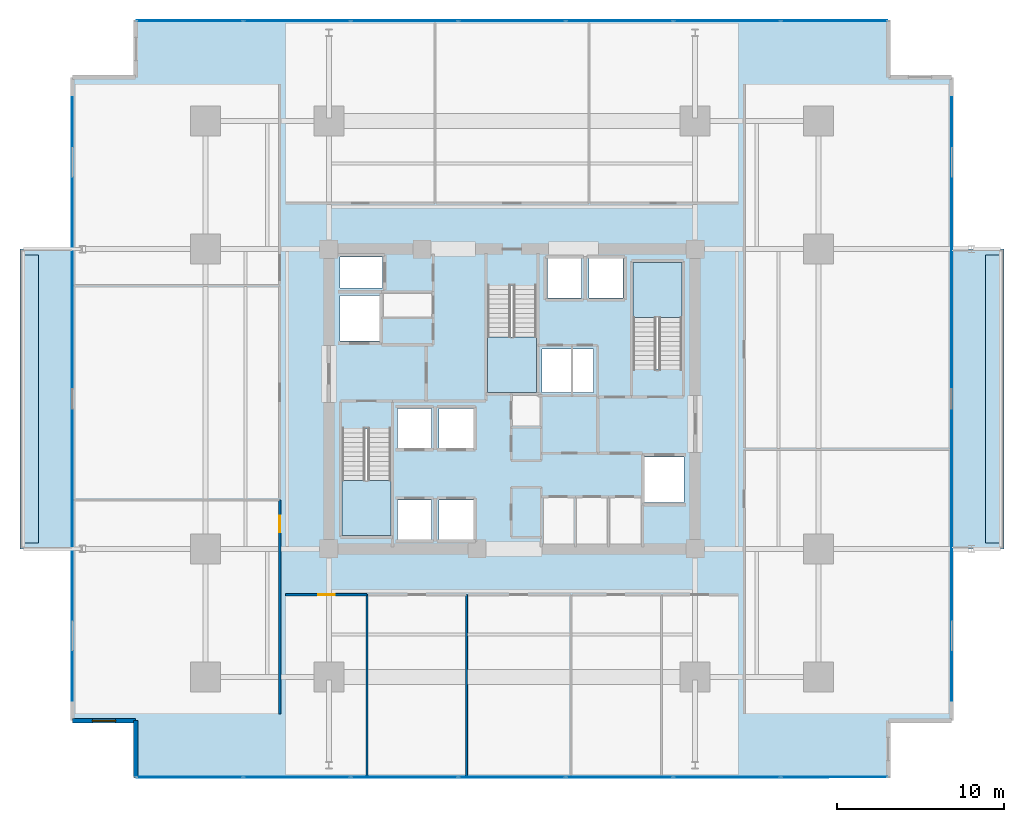
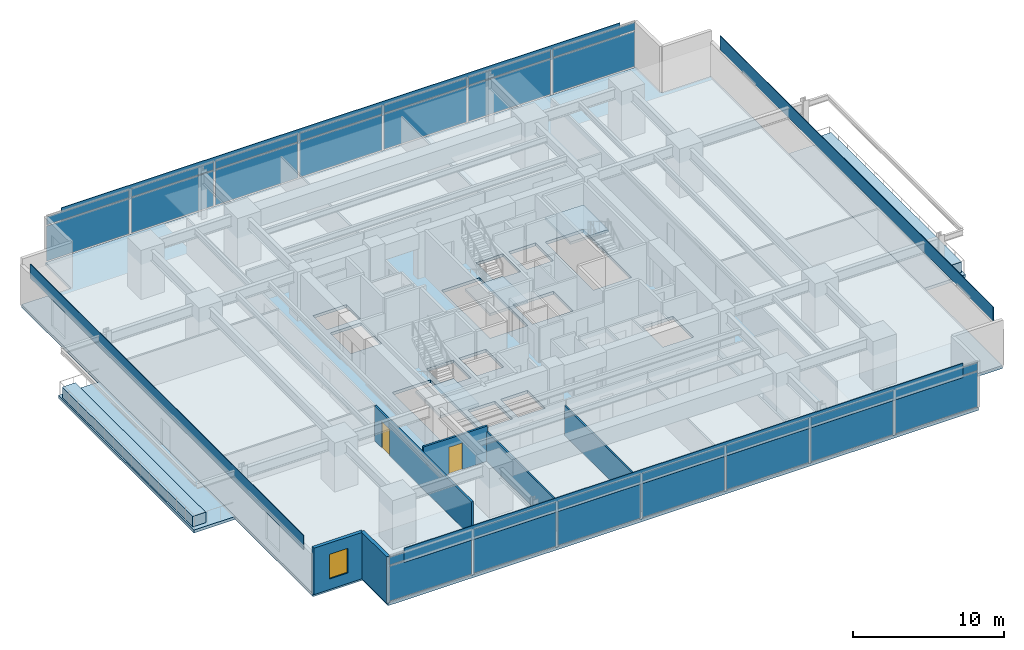
# One storey, part 14 of 22: 32 plates, 8 slabs, 6 walls, 2 doors, 1 window, 3 openings, 5 elements without a shape of their own.
"""IFC4 building model written with IfcOpenShell, lengths in metres."""

from ifc_helpers import new_model, si_unit, direction, frame, frame_2d, origin, origin_2d, place, context, subcontext, project, spatial, polyline, rectangle, outline, extrude, material, layer, layer_set, type_object, element, fill, aggregate, save


model = new_model("IFC4")

# Units and contexts
model_context = context("Model", 3, precision=1e-05, world=origin(), true_north=direction((0.0, 1.0)))
body_context = subcontext(model_context, "Body", "Model", "MODEL_VIEW")
ifc_project = project(units=[si_unit("LENGTHUNIT", "METRE"), si_unit("AREAUNIT", "SQUARE_METRE"), si_unit("VOLUMEUNIT", "CUBIC_METRE"), si_unit("PLANEANGLEUNIT", "RADIAN"), si_unit("MASSUNIT", "GRAM", prefix="KILO")], contexts=[model_context])

# Site, building, storey
site_placement = place(None, origin())
site = spatial("IfcSite", under=ifc_project, at=site_placement, CompositionType="ELEMENT")
building_placement = place(site_placement, origin())
building = spatial("IfcBuilding", under=site, at=building_placement, Name="Kovane Verandah Tower", CompositionType="ELEMENT")
storey_placement = place(building_placement, frame((0.0, 0.0, 99.60009765625)))
storey = spatial("IfcBuildingStorey", under=building, at=storey_placement, Name="L23", CompositionType="ELEMENT", Elevation=99.60009765625)

# Curtain wall, plates
ifc_material_1 = material(Name="Champagne Anodised Aluminium Frame with Low-E Clear Laminated Glass", Category="aluminium")
curtain_wall_type = type_object("IfcCurtainWallType", Name="CW-SYS-02-LOW", PredefinedType="NOTDEFINED", material=ifc_material_1)
curtain_wall_1_placement = place(storey_placement, origin())
curtain_wall_1 = element("IfcCurtainWall", 1, at=curtain_wall_1_placement, inside=storey, type_object=curtain_wall_type, Name="L23 S Unitised Curtain Wall", PredefinedType="NOTDEFINED")
ifc_material_2 = material(Name="Pale Champagne Anodised Aluminium Insulated Spandrel", Category="aluminium")
ifc_layer_1 = layer(ifc_material_2, 0.0400390625)
ifc_layer_set_1 = layer_set([ifc_layer_1], Name="Pale Champagne Anodised Aluminium Insulated Spandrel")
plate_type_1 = type_object("IfcPlateType", Name="PL-CW-SPD-40", PredefinedType="SHEET", material=ifc_layer_set_1)
plate_1_placement = place(storey_placement, frame((20.6298828125, 4.781005859375, 3.02978515625), z_axis=(0.0, 0.0, 1.0), x_axis=(1.0, 0.0, 0.0)))
plate_1 = element("IfcPlate", 2, at=plate_1_placement, type_object=plate_type_1, Name="L23 S Unitised Curtain Wall Spandrel Panel 1", PredefinedType="SHEET", context=body_context, shape_type="SweptSolid", body=[
    extrude(rectangle(XDim=6.316650390625, YDim=0.0400390625, at=origin_2d()), origin(), (0.0, 0.0, 1.0), 0.639892578125),
])
plate_2_placement = place(storey_placement, frame((27.08642578125, 4.781005859375, 3.02978515625), z_axis=(0.0, 0.0, 1.0), x_axis=(1.0, 0.0, 0.0)))
plate_2 = element("IfcPlate", 3, at=plate_2_placement, type_object=plate_type_1, Name="L23 S Unitised Curtain Wall Spandrel Panel 2", PredefinedType="SHEET", context=body_context, shape_type="SweptSolid", body=[
    extrude(rectangle(XDim=6.316650390625, YDim=0.0400390625, at=origin_2d()), origin(), (0.0, 0.0, 1.0), 0.639892578125),
])
plate_3_placement = place(storey_placement, frame((33.543212890625, 4.781005859375, 3.02978515625), z_axis=(0.0, 0.0, 1.0), x_axis=(1.0, 0.0, 0.0)))
plate_3 = element("IfcPlate", 4, at=plate_3_placement, type_object=plate_type_1, Name="L23 S Unitised Curtain Wall Spandrel Panel 3", PredefinedType="SHEET", context=body_context, shape_type="SweptSolid", body=[
    extrude(rectangle(XDim=6.316650390625, YDim=0.0400390625, at=origin_2d()), origin(), (0.0, 0.0, 1.0), 0.639892578125),
])
plate_4_placement = place(storey_placement, frame((40.0, 4.781005859375, 3.02978515625), z_axis=(0.0, 0.0, 1.0), x_axis=(1.0, 0.0, 0.0)))
plate_4 = element("IfcPlate", 5, at=plate_4_placement, type_object=plate_type_1, Name="L23 S Unitised Curtain Wall Spandrel Panel 4", PredefinedType="SHEET", context=body_context, shape_type="SweptSolid", body=[
    extrude(rectangle(XDim=6.316650390625, YDim=0.0400390625, at=origin_2d()), origin(), (0.0, 0.0, 1.0), 0.639892578125),
])
plate_5_placement = place(storey_placement, frame((46.456787109375, 4.781005859375, 3.02978515625), z_axis=(0.0, 0.0, 1.0), x_axis=(1.0, 0.0, 0.0)))
plate_5 = element("IfcPlate", 6, at=plate_5_placement, type_object=plate_type_1, Name="L23 S Unitised Curtain Wall Spandrel Panel 5", PredefinedType="SHEET", context=body_context, shape_type="SweptSolid", body=[
    extrude(rectangle(XDim=6.316650390625, YDim=0.0400390625, at=origin_2d()), origin(), (0.0, 0.0, 1.0), 0.639892578125),
])
plate_6_placement = place(storey_placement, frame((52.91357421875, 4.781005859375, 3.02978515625), z_axis=(0.0, 0.0, 1.0), x_axis=(1.0, 0.0, 0.0)))
plate_6 = element("IfcPlate", 7, at=plate_6_placement, type_object=plate_type_1, Name="L23 S Unitised Curtain Wall Spandrel Panel 6", PredefinedType="SHEET", context=body_context, shape_type="SweptSolid", body=[
    extrude(rectangle(XDim=6.316650390625, YDim=0.0400390625, at=origin_2d()), origin(), (0.0, 0.0, 1.0), 0.639892578125),
])
plate_7_placement = place(storey_placement, frame((59.3701171875, 4.781005859375, 3.02978515625), z_axis=(0.0, 0.0, 1.0), x_axis=(1.0, 0.0, 0.0)))
plate_7 = element("IfcPlate", 8, at=plate_7_placement, type_object=plate_type_1, Name="L23 S Unitised Curtain Wall Spandrel Panel 7", PredefinedType="SHEET", context=body_context, shape_type="SweptSolid", body=[
    extrude(rectangle(XDim=6.316650390625, YDim=0.0400390625, at=origin_2d()), origin(), (0.0, 0.0, 1.0), 0.639892578125),
])

curtain_wall_2_placement = place(storey_placement, origin())
curtain_wall_2 = element("IfcCurtainWall", 9, at=curtain_wall_2_placement, inside=storey, type_object=curtain_wall_type, Name="L23 N Unitised Curtain Wall", PredefinedType="NOTDEFINED")
plate_8_placement = place(storey_placement, frame((59.3701171875, 50.218994140625, 3.02978515625), z_axis=(0.0, 0.0, 1.0), x_axis=(-1.0, 0.0, 0.0)))
plate_8 = element("IfcPlate", 10, at=plate_8_placement, type_object=plate_type_1, Name="L23 N Unitised Curtain Wall Spandrel Panel 1", PredefinedType="SHEET", context=body_context, shape_type="SweptSolid", body=[
    extrude(rectangle(XDim=6.316650390625, YDim=0.0400390625, at=origin_2d()), origin(), (0.0, 0.0, 1.0), 0.639892578125),
])
plate_9_placement = place(storey_placement, frame((52.91357421875, 50.218994140625, 3.02978515625), z_axis=(0.0, 0.0, 1.0), x_axis=(-1.0, 0.0, 0.0)))
plate_9 = element("IfcPlate", 11, at=plate_9_placement, type_object=plate_type_1, Name="L23 N Unitised Curtain Wall Spandrel Panel 2", PredefinedType="SHEET", context=body_context, shape_type="SweptSolid", body=[
    extrude(rectangle(XDim=6.316650390625, YDim=0.0400390625, at=origin_2d()), origin(), (0.0, 0.0, 1.0), 0.639892578125),
])
plate_10_placement = place(storey_placement, frame((46.456787109375, 50.218994140625, 3.02978515625), z_axis=(0.0, 0.0, 1.0), x_axis=(-1.0, 0.0, 0.0)))
plate_10 = element("IfcPlate", 12, at=plate_10_placement, type_object=plate_type_1, Name="L23 N Unitised Curtain Wall Spandrel Panel 3", PredefinedType="SHEET", context=body_context, shape_type="SweptSolid", body=[
    extrude(rectangle(XDim=6.316650390625, YDim=0.0400390625, at=origin_2d()), origin(), (0.0, 0.0, 1.0), 0.639892578125),
])
plate_11_placement = place(storey_placement, frame((40.0, 50.218994140625, 3.02978515625), z_axis=(0.0, 0.0, 1.0), x_axis=(-1.0, 0.0, 0.0)))
plate_11 = element("IfcPlate", 13, at=plate_11_placement, type_object=plate_type_1, Name="L23 N Unitised Curtain Wall Spandrel Panel 4", PredefinedType="SHEET", context=body_context, shape_type="SweptSolid", body=[
    extrude(rectangle(XDim=6.316650390625, YDim=0.0400390625, at=origin_2d()), origin(), (0.0, 0.0, 1.0), 0.639892578125),
])
plate_12_placement = place(storey_placement, frame((33.543212890625, 50.218994140625, 3.02978515625), z_axis=(0.0, 0.0, 1.0), x_axis=(-1.0, 0.0, 0.0)))
plate_12 = element("IfcPlate", 14, at=plate_12_placement, type_object=plate_type_1, Name="L23 N Unitised Curtain Wall Spandrel Panel 5", PredefinedType="SHEET", context=body_context, shape_type="SweptSolid", body=[
    extrude(rectangle(XDim=6.316650390625, YDim=0.0400390625, at=origin_2d()), origin(), (0.0, 0.0, 1.0), 0.639892578125),
])
plate_13_placement = place(storey_placement, frame((27.08642578125, 50.218994140625, 3.02978515625), z_axis=(0.0, 0.0, 1.0), x_axis=(-1.0, 0.0, 0.0)))
plate_13 = element("IfcPlate", 15, at=plate_13_placement, type_object=plate_type_1, Name="L23 N Unitised Curtain Wall Spandrel Panel 6", PredefinedType="SHEET", context=body_context, shape_type="SweptSolid", body=[
    extrude(rectangle(XDim=6.316650390625, YDim=0.0400390625, at=origin_2d()), origin(), (0.0, 0.0, 1.0), 0.639892578125),
])
plate_14_placement = place(storey_placement, frame((20.6298828125, 50.218994140625, 3.02978515625), z_axis=(0.0, 0.0, 1.0), x_axis=(-1.0, 0.0, 0.0)))
plate_14 = element("IfcPlate", 16, at=plate_14_placement, type_object=plate_type_1, Name="L23 N Unitised Curtain Wall Spandrel Panel 7", PredefinedType="SHEET", context=body_context, shape_type="SweptSolid", body=[
    extrude(rectangle(XDim=6.316650390625, YDim=0.0400390625, at=origin_2d()), origin(), (0.0, 0.0, 1.0), 0.639892578125),
])

# Plate
ifc_material_3 = material(Name="Clear Low-E Laminated Double Glazing", Category="glass")
ifc_layer_2 = layer(ifc_material_3, 0.031982421875)
ifc_layer_set_2 = layer_set([ifc_layer_2], Name="Clear Low-E Laminated Double Glazing")
plate_type_2 = type_object("IfcPlateType", Name="PL-CW-VIS-32", PredefinedType="CURTAIN_PANEL", material=ifc_layer_set_2)
plate_15_placement = place(storey_placement, frame((20.6298828125, 4.781005859375, 0.099853515625), z_axis=(0.0, 0.0, 1.0), x_axis=(1.0, 0.0, 0.0)))
plate_15 = element("IfcPlate", 17, at=plate_15_placement, type_object=plate_type_2, Name="L23 S Unitised Curtain Wall Vision Panel 1", PredefinedType="CURTAIN_PANEL", context=body_context, shape_type="SweptSolid", body=[
    extrude(rectangle(XDim=6.316650390625, YDim=0.031982421875, at=origin_2d()), origin(), (0.0, 0.0, 1.0), 2.830078125),
])

plate_16_placement = place(storey_placement, frame((27.08642578125, 4.781005859375, 0.099853515625), z_axis=(0.0, 0.0, 1.0), x_axis=(1.0, 0.0, 0.0)))
plate_16 = element("IfcPlate", 18, at=plate_16_placement, type_object=plate_type_2, Name="L23 S Unitised Curtain Wall Vision Panel 2", PredefinedType="CURTAIN_PANEL", context=body_context, shape_type="SweptSolid", body=[
    extrude(rectangle(XDim=6.316650390625, YDim=0.031982421875, at=origin_2d()), origin(), (0.0, 0.0, 1.0), 2.830078125),
])

plate_17_placement = place(storey_placement, frame((33.543212890625, 4.781005859375, 0.099853515625), z_axis=(0.0, 0.0, 1.0), x_axis=(1.0, 0.0, 0.0)))
plate_17 = element("IfcPlate", 19, at=plate_17_placement, type_object=plate_type_2, Name="L23 S Unitised Curtain Wall Vision Panel 3", PredefinedType="CURTAIN_PANEL", context=body_context, shape_type="SweptSolid", body=[
    extrude(rectangle(XDim=6.316650390625, YDim=0.031982421875, at=origin_2d()), origin(), (0.0, 0.0, 1.0), 2.830078125),
])

plate_18_placement = place(storey_placement, frame((40.0, 4.781005859375, 0.099853515625), z_axis=(0.0, 0.0, 1.0), x_axis=(1.0, 0.0, 0.0)))
plate_18 = element("IfcPlate", 20, at=plate_18_placement, type_object=plate_type_2, Name="L23 S Unitised Curtain Wall Vision Panel 4", PredefinedType="CURTAIN_PANEL", context=body_context, shape_type="SweptSolid", body=[
    extrude(rectangle(XDim=6.316650390625, YDim=0.031982421875, at=origin_2d()), origin(), (0.0, 0.0, 1.0), 2.830078125),
])

plate_19_placement = place(storey_placement, frame((46.456787109375, 4.781005859375, 0.099853515625), z_axis=(0.0, 0.0, 1.0), x_axis=(1.0, 0.0, 0.0)))
plate_19 = element("IfcPlate", 21, at=plate_19_placement, type_object=plate_type_2, Name="L23 S Unitised Curtain Wall Vision Panel 5", PredefinedType="CURTAIN_PANEL", context=body_context, shape_type="SweptSolid", body=[
    extrude(rectangle(XDim=6.316650390625, YDim=0.031982421875, at=origin_2d()), origin(), (0.0, 0.0, 1.0), 2.830078125),
])

plate_20_placement = place(storey_placement, frame((52.91357421875, 4.781005859375, 0.099853515625), z_axis=(0.0, 0.0, 1.0), x_axis=(1.0, 0.0, 0.0)))
plate_20 = element("IfcPlate", 22, at=plate_20_placement, type_object=plate_type_2, Name="L23 S Unitised Curtain Wall Vision Panel 6", PredefinedType="CURTAIN_PANEL", context=body_context, shape_type="SweptSolid", body=[
    extrude(rectangle(XDim=6.316650390625, YDim=0.031982421875, at=origin_2d()), origin(), (0.0, 0.0, 1.0), 2.830078125),
])

plate_21_placement = place(storey_placement, frame((59.3701171875, 4.781005859375, 0.099853515625), z_axis=(0.0, 0.0, 1.0), x_axis=(1.0, 0.0, 0.0)))
plate_21 = element("IfcPlate", 23, at=plate_21_placement, type_object=plate_type_2, Name="L23 S Unitised Curtain Wall Vision Panel 7", PredefinedType="CURTAIN_PANEL", context=body_context, shape_type="SweptSolid", body=[
    extrude(rectangle(XDim=6.316650390625, YDim=0.031982421875, at=origin_2d()), origin(), (0.0, 0.0, 1.0), 2.830078125),
])

aggregate(curtain_wall_1, [plate_15, plate_1, plate_16, plate_2, plate_17, plate_3, plate_18, plate_4, plate_19, plate_5, plate_20, plate_6, plate_21, plate_7])

plate_22_placement = place(storey_placement, frame((59.3701171875, 50.218994140625, 0.099853515625), z_axis=(0.0, 0.0, 1.0), x_axis=(-1.0, 0.0, 0.0)))
plate_22 = element("IfcPlate", 24, at=plate_22_placement, type_object=plate_type_2, Name="L23 N Unitised Curtain Wall Vision Panel 1", PredefinedType="CURTAIN_PANEL", context=body_context, shape_type="SweptSolid", body=[
    extrude(rectangle(XDim=6.316650390625, YDim=0.031982421875, at=origin_2d()), origin(), (0.0, 0.0, 1.0), 2.830078125),
])

plate_23_placement = place(storey_placement, frame((52.91357421875, 50.218994140625, 0.099853515625), z_axis=(0.0, 0.0, 1.0), x_axis=(-1.0, 0.0, 0.0)))
plate_23 = element("IfcPlate", 25, at=plate_23_placement, type_object=plate_type_2, Name="L23 N Unitised Curtain Wall Vision Panel 2", PredefinedType="CURTAIN_PANEL", context=body_context, shape_type="SweptSolid", body=[
    extrude(rectangle(XDim=6.316650390625, YDim=0.031982421875, at=origin_2d()), origin(), (0.0, 0.0, 1.0), 2.830078125),
])

plate_24_placement = place(storey_placement, frame((46.456787109375, 50.218994140625, 0.099853515625), z_axis=(0.0, 0.0, 1.0), x_axis=(-1.0, 0.0, 0.0)))
plate_24 = element("IfcPlate", 26, at=plate_24_placement, type_object=plate_type_2, Name="L23 N Unitised Curtain Wall Vision Panel 3", PredefinedType="CURTAIN_PANEL", context=body_context, shape_type="SweptSolid", body=[
    extrude(rectangle(XDim=6.316650390625, YDim=0.031982421875, at=origin_2d()), origin(), (0.0, 0.0, 1.0), 2.830078125),
])

plate_25_placement = place(storey_placement, frame((40.0, 50.218994140625, 0.099853515625), z_axis=(0.0, 0.0, 1.0), x_axis=(-1.0, 0.0, 0.0)))
plate_25 = element("IfcPlate", 27, at=plate_25_placement, type_object=plate_type_2, Name="L23 N Unitised Curtain Wall Vision Panel 4", PredefinedType="CURTAIN_PANEL", context=body_context, shape_type="SweptSolid", body=[
    extrude(rectangle(XDim=6.316650390625, YDim=0.031982421875, at=origin_2d()), origin(), (0.0, 0.0, 1.0), 2.830078125),
])

plate_26_placement = place(storey_placement, frame((33.543212890625, 50.218994140625, 0.099853515625), z_axis=(0.0, 0.0, 1.0), x_axis=(-1.0, 0.0, 0.0)))
plate_26 = element("IfcPlate", 28, at=plate_26_placement, type_object=plate_type_2, Name="L23 N Unitised Curtain Wall Vision Panel 5", PredefinedType="CURTAIN_PANEL", context=body_context, shape_type="SweptSolid", body=[
    extrude(rectangle(XDim=6.316650390625, YDim=0.031982421875, at=origin_2d()), origin(), (0.0, 0.0, 1.0), 2.830078125),
])

plate_27_placement = place(storey_placement, frame((27.08642578125, 50.218994140625, 0.099853515625), z_axis=(0.0, 0.0, 1.0), x_axis=(-1.0, 0.0, 0.0)))
plate_27 = element("IfcPlate", 29, at=plate_27_placement, type_object=plate_type_2, Name="L23 N Unitised Curtain Wall Vision Panel 6", PredefinedType="CURTAIN_PANEL", context=body_context, shape_type="SweptSolid", body=[
    extrude(rectangle(XDim=6.316650390625, YDim=0.031982421875, at=origin_2d()), origin(), (0.0, 0.0, 1.0), 2.830078125),
])

plate_28_placement = place(storey_placement, frame((20.6298828125, 50.218994140625, 0.099853515625), z_axis=(0.0, 0.0, 1.0), x_axis=(-1.0, 0.0, 0.0)))
plate_28 = element("IfcPlate", 30, at=plate_28_placement, type_object=plate_type_2, Name="L23 N Unitised Curtain Wall Vision Panel 7", PredefinedType="CURTAIN_PANEL", context=body_context, shape_type="SweptSolid", body=[
    extrude(rectangle(XDim=6.316650390625, YDim=0.031982421875, at=origin_2d()), origin(), (0.0, 0.0, 1.0), 2.830078125),
])

aggregate(curtain_wall_2, [plate_22, plate_8, plate_23, plate_9, plate_24, plate_10, plate_25, plate_11, plate_26, plate_12, plate_27, plate_13, plate_28, plate_14])

# Plates
ifc_material_4 = material(Name="Perforated Pale Champagne Anodised Aluminium Solar Screen", Category="aluminium")
ifc_layer_3 = layer(ifc_material_4, 0.050048828125)
ifc_layer_set_3 = layer_set([ifc_layer_3], Name="Perforated Pale Champagne Anodised Aluminium Solar Screen")
plate_type_3 = type_object("IfcPlateType", Name="PL-SCREEN-50", PredefinedType="USERDEFINED", material=ifc_layer_set_3)
plate_29_placement = place(storey_placement, frame((40.0, 4.76611328125, 2.85986328125), z_axis=(0.0, 0.0, 1.0), x_axis=(1.0, 0.0, 0.0)))
element("IfcPlate", 31, at=plate_29_placement, inside=storey, type_object=plate_type_3, Name="L23 S Perforated Champagne-Gold Solar Screen", ObjectType="SCREEN", PredefinedType="USERDEFINED", context=body_context, shape_type="SweptSolid", body=[
    extrude(rectangle(XDim=42.797119140625, YDim=0.050048828125, at=origin_2d()), origin(), (0.0, 0.0, 1.0), 1.14990234375),
])
plate_30_placement = place(storey_placement, frame((66.41357421875, 27.5, 2.85986328125), z_axis=(0.0, 0.0, 1.0), x_axis=(0.0, 1.0, 0.0)))
element("IfcPlate", 32, at=plate_30_placement, inside=storey, type_object=plate_type_3, Name="L23 E Perforated Champagne-Gold Solar Screen", ObjectType="SCREEN", PredefinedType="USERDEFINED", context=body_context, shape_type="SweptSolid", body=[
    extrude(rectangle(XDim=36.238037109375, YDim=0.050048828125, at=origin_2d()), origin(), (0.0, 0.0, 1.0), 1.14990234375),
])
plate_31_placement = place(storey_placement, frame((40.0, 50.23388671875, 2.85986328125), z_axis=(0.0, 0.0, 1.0), x_axis=(-1.0, 0.0, 0.0)))
element("IfcPlate", 33, at=plate_31_placement, inside=storey, type_object=plate_type_3, Name="L23 N Perforated Champagne-Gold Solar Screen", ObjectType="SCREEN", PredefinedType="USERDEFINED", context=body_context, shape_type="SweptSolid", body=[
    extrude(rectangle(XDim=42.797119140625, YDim=0.050048828125, at=origin_2d()), origin(), (0.0, 0.0, 1.0), 1.14990234375),
])
plate_32_placement = place(storey_placement, frame((13.58642578125, 27.5, 2.85986328125), z_axis=(0.0, 0.0, 1.0), x_axis=(0.0, -1.0, 0.0)))
element("IfcPlate", 34, at=plate_32_placement, inside=storey, type_object=plate_type_3, Name="L23 W Perforated Champagne-Gold Solar Screen", ObjectType="SCREEN", PredefinedType="USERDEFINED", context=body_context, shape_type="SweptSolid", body=[
    extrude(rectangle(XDim=36.238037109375, YDim=0.050048828125, at=origin_2d()), origin(), (0.0, 0.0, 1.0), 1.14990234375),
])

# Slabs
ifc_material_5 = material(Name="Concrete C45/55", Category="concrete")
ifc_layer_4 = layer(ifc_material_5, 0.239990234375)
ifc_layer_set_4 = layer_set([ifc_layer_4], Name="Concrete C45/55")
slab_type_1 = type_object("IfcSlabType", Name="SL-BALC-240", PredefinedType="FLOOR", material=ifc_layer_set_4)
slab_1_placement = place(storey_placement, frame((0.0, 0.0, -0.239990234375)))
element("IfcSlab", 35, at=slab_1_placement, inside=storey, type_object=slab_type_1, Name="L23 E Planted Verandah Balcony Slab", PredefinedType="FLOOR", context=body_context, shape_type="SweptSolid", body=[
    extrude(outline(polyline([(66.398681640625, 18.5), (69.548583984375, 18.5), (69.548583984375, 36.5), (66.398681640625, 36.5), (66.398681640625, 18.5)])), origin(), (0.0, 0.0, 1.0), 0.239990234375),
])
slab_2_placement = place(storey_placement, frame((0.0, 0.0, -0.239990234375)))
element("IfcSlab", 36, at=slab_2_placement, inside=storey, type_object=slab_type_1, Name="L23 W Planted Verandah Balcony Slab", PredefinedType="FLOOR", context=body_context, shape_type="SweptSolid", body=[
    extrude(outline(polyline([(10.451416015625, 18.5), (13.601318359375, 18.5), (13.601318359375, 36.5), (10.451416015625, 36.5), (10.451416015625, 18.5)])), origin(), (0.0, 0.0, 1.0), 0.239990234375),
])

# Stair, slab
stair_type = type_object("IfcStairType", Name="ST-CORE-1380", PredefinedType="HALF_TURN_STAIR", material=ifc_material_5)
stair_1_placement = place(storey_placement, origin())
stair_1 = element("IfcStair", 37, at=stair_1_placement, inside=storey, type_object=stair_type, Name="L23 Exit Stair ST-01", PredefinedType="HALF_TURN_STAIR")
ifc_layer_5 = layer(ifc_material_5, 0.199951171875)
ifc_layer_set_5 = layer_set([ifc_layer_5], Name="Concrete C45/55")
slab_type_2 = type_object("IfcSlabType", Name="SL-LAND-200", PredefinedType="LANDING", material=ifc_layer_set_5)
slab_3_placement = place(storey_placement, frame((0.0, 0.0, 1.7998046875)))
slab_3 = element("IfcSlab", 38, at=slab_3_placement, type_object=slab_type_2, Name="ST-01 landing 1", PredefinedType="LANDING", context=body_context, shape_type="SweptSolid", body=[
    extrude(outline(polyline([(29.800048828125, 22.614990234375), (29.800048828125, 19.300048828125), (32.719970703125, 19.300048828125), (32.719970703125, 22.614990234375), (29.800048828125, 22.614990234375)])), origin(), (0.0, 0.0, 1.0), 0.2001953125),
])
aggregate(stair_1, [slab_3])

stair_2_placement = place(storey_placement, origin())
stair_2 = element("IfcStair", 39, at=stair_2_placement, inside=storey, type_object=stair_type, Name="L23 Exit Stair ST-02", PredefinedType="HALF_TURN_STAIR")
slab_4_placement = place(storey_placement, frame((0.0, 0.0, 1.7998046875)))
slab_4 = element("IfcSlab", 40, at=slab_4_placement, type_object=slab_type_2, Name="ST-02 landing 1", PredefinedType="LANDING", context=body_context, shape_type="SweptSolid", body=[
    extrude(outline(polyline([(50.199951171875, 32.385009765625), (50.199951171875, 35.699951171875), (47.280029296875, 35.699951171875), (47.280029296875, 32.385009765625), (50.199951171875, 32.385009765625)])), origin(), (0.0, 0.0, 1.0), 0.2001953125),
])
aggregate(stair_2, [slab_4])

stair_3_placement = place(storey_placement, origin())
stair_3 = element("IfcStair", 41, at=stair_3_placement, inside=storey, type_object=stair_type, Name="L23 Exit Stair ST-03", PredefinedType="HALF_TURN_STAIR")
slab_5_placement = place(storey_placement, frame((0.0, 0.0, 1.7998046875)))
slab_5 = element("IfcSlab", 42, at=slab_5_placement, type_object=slab_type_2, Name="ST-03 landing 1", PredefinedType="LANDING", context=body_context, shape_type="SweptSolid", body=[
    extrude(outline(polyline([(38.5400390625, 31.215087890625), (38.5400390625, 27.89990234375), (41.4599609375, 27.89990234375), (41.4599609375, 31.215087890625), (38.5400390625, 31.215087890625)])), origin(), (0.0, 0.0, 1.0), 0.2001953125),
])
aggregate(stair_3, [slab_5])

# Slabs
ifc_material_6 = material(Name="Architectural Precast Concrete C45/55 Planter Trough", Category="concrete")
ifc_layer_6 = layer(ifc_material_6, 0.219970703125)
ifc_layer_set_6 = layer_set([ifc_layer_6], Name="Architectural Precast Concrete C45/55 Planter Trough")
slab_type_3 = type_object("IfcSlabType", Name="SL-PLANTER-220", PredefinedType="USERDEFINED", material=ifc_layer_set_6)
slab_6_placement = place(storey_placement, origin())
element("IfcSlab", 43, at=slab_6_placement, inside=storey, type_object=slab_type_3, Name="L23 E Structural Tree Planter", ObjectType="PLANTER", PredefinedType="USERDEFINED", context=body_context, shape_type="SweptSolid", body=[
    extrude(outline(polyline([(68.448486328125, 18.85009765625), (69.448486328125, 18.85009765625), (69.448486328125, 36.14990234375), (68.448486328125, 36.14990234375), (68.448486328125, 18.85009765625)])), origin(), (0.0, 0.0, 1.0), 0.849853515625),
])
slab_7_placement = place(storey_placement, origin())
element("IfcSlab", 44, at=slab_7_placement, inside=storey, type_object=slab_type_3, Name="L23 W Structural Tree Planter", ObjectType="PLANTER", PredefinedType="USERDEFINED", context=body_context, shape_type="SweptSolid", body=[
    extrude(outline(polyline([(10.551513671875, 18.85009765625), (11.551513671875, 18.85009765625), (11.551513671875, 36.14990234375), (10.551513671875, 36.14990234375), (10.551513671875, 18.85009765625)])), origin(), (0.0, 0.0, 1.0), 0.849853515625),
])
ifc_layer_7 = layer(ifc_material_5, 0.239990234375)
ifc_layer_set_7 = layer_set([ifc_layer_7], Name="Concrete C45/55")
slab_type_4 = type_object("IfcSlabType", Name="SL-TYP-240", PredefinedType="FLOOR", material=ifc_layer_set_7)
slab_8_placement = place(storey_placement, frame((0.0, 0.0, -0.239990234375)))
element("IfcSlab", 45, at=slab_8_placement, inside=storey, type_object=slab_type_4, Name="L23 Structural Floor Slab", PredefinedType="FLOOR", context=body_context, shape_type="SweptSolid", body=[
    extrude(outline(polyline([(17.4013671875, 4.781005859375), (62.5986328125, 4.781005859375), (62.5986328125, 8.180908203125), (66.398681640625, 8.180908203125), (66.398681640625, 46.819091796875), (62.5986328125, 46.819091796875), (62.5986328125, 50.218994140625), (17.4013671875, 50.218994140625), (17.4013671875, 46.819091796875), (13.601318359375, 46.819091796875), (13.601318359375, 8.180908203125), (17.4013671875, 8.180908203125), (17.4013671875, 4.781005859375)]), holes=[polyline([(29.800048828125, 19.300048828125), (32.719970703125, 19.300048828125), (32.719970703125, 25.705078125), (29.800048828125, 25.705078125), (29.800048828125, 19.300048828125)]), polyline([(47.280029296875, 29.294921875), (50.199951171875, 29.294921875), (50.199951171875, 35.699951171875), (47.280029296875, 35.699951171875), (47.280029296875, 29.294921875)]), polyline([(38.5400390625, 27.89990234375), (41.4599609375, 27.89990234375), (41.4599609375, 34.304931640625), (38.5400390625, 34.304931640625), (38.5400390625, 27.89990234375)]), polyline([(29.669921875, 30.969970703125), (32.030029296875, 30.969970703125), (32.030029296875, 33.72998046875), (29.669921875, 33.72998046875), (29.669921875, 30.969970703125)]), polyline([(47.969970703125, 21.27001953125), (50.330078125, 21.27001953125), (50.330078125, 24.030029296875), (47.969970703125, 24.030029296875), (47.969970703125, 21.27001953125)]), polyline([(29.669921875, 34.169921875), (32.22998046875, 34.169921875), (32.22998046875, 36.030029296875), (29.669921875, 36.030029296875), (29.669921875, 34.169921875)]), polyline([(33.1201171875, 19.070068359375), (35.179931640625, 19.070068359375), (35.179931640625, 21.429931640625), (33.1201171875, 21.429931640625), (33.1201171875, 19.070068359375)]), polyline([(35.6201171875, 19.070068359375), (37.679931640625, 19.070068359375), (37.679931640625, 21.429931640625), (35.6201171875, 21.429931640625), (35.6201171875, 19.070068359375)]), polyline([(33.1201171875, 24.570068359375), (35.179931640625, 24.570068359375), (35.179931640625, 26.929931640625), (33.1201171875, 26.929931640625), (33.1201171875, 24.570068359375)]), polyline([(35.6201171875, 24.570068359375), (37.679931640625, 24.570068359375), (37.679931640625, 26.929931640625), (35.6201171875, 26.929931640625), (35.6201171875, 24.570068359375)]), polyline([(42.1201171875, 33.570068359375), (44.179931640625, 33.570068359375), (44.179931640625, 35.929931640625), (42.1201171875, 35.929931640625), (42.1201171875, 33.570068359375)]), polyline([(44.6201171875, 33.570068359375), (46.679931640625, 33.570068359375), (46.679931640625, 35.929931640625), (44.6201171875, 35.929931640625), (44.6201171875, 33.570068359375)]), polyline([(41.800048828125, 27.89990234375), (44.89990234375, 27.89990234375), (44.89990234375, 30.5), (41.800048828125, 30.5), (41.800048828125, 27.89990234375)])]), origin(), (0.0, 0.0, 1.0), 0.239990234375),
])

# Wall, opening, door
ifc_material_7 = material(Name="Fire-Rated Gypsum Stud Partition", Category="gypsum")
ifc_layer_8 = layer(ifc_material_7, 0.14990234375)
ifc_layer_set_8 = layer_set([ifc_layer_8], Name="Fire-Rated Gypsum Stud Partition")
wall_type_1 = type_object("IfcWallType", Name="WL-COR-150", PredefinedType="PARTITIONING", material=ifc_layer_set_8)
wall_1_placement = place(storey_placement, frame((26.39990234375, 15.75, 0.0), z_axis=(0.0, 0.0, 1.0), x_axis=(1.0, 0.0, 0.0)))
wall_1 = element("IfcWall", 46, at=wall_1_placement, inside=storey, type_object=wall_type_1, Name="L23 Meeting Room S1 Corridor Partition", PredefinedType="PARTITIONING", context=body_context, shape_type="SweptSolid", body=[
    extrude(rectangle(XDim=4.89599609375, YDim=0.14990234375, at=frame_2d((2.447998046875, 0.0))), origin(), (0.0, 0.0, 1.0), 2.849853515625),
])
opening_1_placement = place(wall_1_placement, frame((1.962890625, 0.0, 0.0)))
opening_1 = element("IfcOpeningElement", 47, at=opening_1_placement, cuts=wall_1, Name="Opening DR-L23-024", PredefinedType="OPENING", context=body_context, shape_type="SweptSolid", body=[
    extrude(rectangle(XDim=1.0, YDim=2.14990234375, at=frame_2d((0.5, 1.074951171875))), frame((0.0, 0.074951171875, 0.0), z_axis=(0.0, -1.0, 0.0), x_axis=(1.0, 0.0, 0.0)), (0.0, 0.0, 1.0), 0.14990234375),
])
ifc_material_8 = material(Name="FSC Spotted-Gum Timber Fire-Rated Office Door", Category="wood")
door_type = type_object("IfcDoorType", Name="DR-OFF-1000", OperationType="SINGLE_SWING_LEFT", PredefinedType="DOOR", material=ifc_material_8)
door_1_placement = place(opening_1_placement, origin())
door_1 = element("IfcDoor", 48, at=door_1_placement, inside=storey, type_object=door_type, Name="L23 Meeting Room S1 Entrance Door", OperationType="SINGLE_SWING_RIGHT", OverallHeight=2.14990234375, OverallWidth=1.0, PredefinedType="DOOR", context=body_context, shape_type="SweptSolid", body=[
    extrude(rectangle(XDim=1.0, YDim=2.14990234375, at=frame_2d((0.5, 1.074951171875))), frame((0.0, 0.02490234375, 0.0), z_axis=(0.0, -1.0, 0.0), x_axis=(1.0, 0.0, 0.0)), (0.0, 0.0, 1.0), 0.050048828125),
])
fill(opening_1, door_1)

wall_2_placement = place(storey_placement, frame((26.050048828125, 8.5810546875, 0.0), z_axis=(0.0, 0.0, 1.0), x_axis=(0.0, 1.0, 0.0)))
wall_2 = element("IfcWall", 49, at=wall_2_placement, inside=storey, type_object=wall_type_1, Name="L23 Open Plan Office W1 Corridor Partition", PredefinedType="PARTITIONING", context=body_context, shape_type="SweptSolid", body=[
    extrude(rectangle(XDim=12.86474609375, YDim=0.14990234375, at=frame_2d((6.432373046875, 0.0))), origin(), (0.0, 0.0, 1.0), 2.849853515625),
])
opening_2_placement = place(wall_2_placement, frame((10.906982421875, 0.0, 0.0)))
opening_2 = element("IfcOpeningElement", 50, at=opening_2_placement, cuts=wall_2, Name="Opening DR-L23-033", PredefinedType="OPENING", context=body_context, shape_type="SweptSolid", body=[
    extrude(rectangle(XDim=1.0, YDim=2.14990234375, at=frame_2d((0.5, 1.074951171875))), frame((0.0, 0.074951171875, 0.0), z_axis=(0.0, -1.0, 0.0), x_axis=(1.0, 0.0, 0.0)), (0.0, 0.0, 1.0), 0.14990234375),
])
door_2_placement = place(opening_2_placement, origin())
door_2 = element("IfcDoor", 51, at=door_2_placement, inside=storey, type_object=door_type, Name="L23 Open Plan Office W1 Entrance Door", OperationType="SINGLE_SWING_LEFT", OverallHeight=2.14990234375, OverallWidth=1.0, PredefinedType="DOOR", context=body_context, shape_type="SweptSolid", body=[
    extrude(rectangle(XDim=1.0, YDim=2.14990234375, at=frame_2d((0.5, 1.074951171875))), frame((0.0, 0.02490234375, 0.0), z_axis=(0.0, -1.0, 0.0), x_axis=(1.0, 0.0, 0.0)), (0.0, 0.0, 1.0), 0.050048828125),
])
fill(opening_2, door_2)

# Walls
ifc_material_9 = material(Name="Acoustic Fire-Rated Gypsum Partition", Category="gypsum")
ifc_layer_9 = layer(ifc_material_9, 0.1201171875)
ifc_layer_set_9 = layer_set([ifc_layer_9], Name="Acoustic Fire-Rated Gypsum Partition")
wall_type_2 = type_object("IfcWallType", Name="WL-PART-120", PredefinedType="PARTITIONING", material=ifc_layer_set_9)
for number, where, z_axis, x_axis, name in (
    (52, (31.2958984375, 4.881103515625, 0.0), (0.0, 0.0, 1.0), (0.0, 1.0, 0.0), "L23 Meeting Room S1 Dividing Partition"),
    (53, (37.280029296875, 4.881103515625, 0.0), (0.0, 0.0, 1.0), (0.0, 1.0, 0.0), "L23 Focus Studio S2 Dividing Partition"),
):
    element("IfcWall", number, at=place(storey_placement, frame(where, z_axis=z_axis, x_axis=x_axis)), inside=storey, type_object=wall_type_2, Name=name, PredefinedType="PARTITIONING", context=body_context, shape_type="SweptSolid", body=[
        extrude(rectangle(XDim=10.868896484375, YDim=0.1201171875, at=frame_2d((5.4345703125, 0.0))), origin(), (0.0, 0.0, 1.0), 2.389892578125),
    ])

# Wall, opening, window
ifc_material_10 = material(Name="Concrete C45/55 Insulated Spandrel Wall", Category="concrete")
ifc_layer_10 = layer(ifc_material_10, 0.260009765625)
ifc_layer_set_10 = layer_set([ifc_layer_10], Name="Concrete C45/55 Insulated Spandrel Wall")
wall_type_3 = type_object("IfcWallType", Name="WL-SPANDREL-260", PredefinedType="PARAPET", material=ifc_layer_set_10)
wall_3_placement = place(storey_placement, frame((13.601318359375, 8.180908203125, 0.0), z_axis=(0.0, 0.0, 1.0), x_axis=(1.0, 0.0, 0.0)))
wall_3 = element("IfcWall", 54, at=wall_3_placement, inside=storey, type_object=wall_type_3, Name="L23 SW Notch Cheek Wall 1", PredefinedType="PARAPET", context=body_context, shape_type="SweptSolid", body=[
    extrude(rectangle(XDim=3.800048828125, YDim=0.260009765625, at=frame_2d((1.89990234375, 0.0))), origin(), (0.0, 0.0, 1.0), 3.760009765625),
])
opening_3_placement = place(wall_3_placement, frame((1.199951171875, 0.0, 0.85009765625)))
opening_3 = element("IfcOpeningElement", 55, at=opening_3_placement, cuts=wall_3, Name="Opening W-01", PredefinedType="OPENING", context=body_context, shape_type="SweptSolid", body=[
    extrude(rectangle(XDim=1.39990234375, YDim=2.0, at=frame_2d((0.699951171875, 1.0))), frame((0.0, 0.1298828125, 0.0), z_axis=(0.0, -1.0, 0.0), x_axis=(1.0, 0.0, 0.0)), (0.0, 0.0, 1.0), 0.260009765625),
])
ifc_material_11 = material(Name="Clear Low-E Laminated Double Glazing in Anodised Frame", Category="glass")
window_type = type_object("IfcWindowType", Name="WN-OPER-1400x2000", PartitioningType="SINGLE_PANEL", PredefinedType="WINDOW", material=ifc_material_11)
window_placement = place(opening_3_placement, origin())
window = element("IfcWindow", 56, at=window_placement, inside=storey, type_object=window_type, Name="L23 SW Re-Entrant Corner Operable Window", OverallHeight=2.0, OverallWidth=1.39990234375, PartitioningType="SINGLE_PANEL", PredefinedType="WINDOW", context=body_context, shape_type="SweptSolid", body=[
    extrude(rectangle(XDim=1.39990234375, YDim=2.0, at=frame_2d((0.699951171875, 1.0))), frame((0.0, 0.030029296875, 0.0), z_axis=(0.0, -1.0, 0.0), x_axis=(1.0, 0.0, 0.0)), (0.0, 0.0, 1.0), 0.06005859375),
])
fill(opening_3, window)

# Wall
wall_4_placement = place(storey_placement, frame((17.4013671875, 8.180908203125, 0.0), z_axis=(0.0, 0.0, 1.0), x_axis=(0.0, -1.0, 0.0)))
element("IfcWall", 57, at=wall_4_placement, inside=storey, type_object=wall_type_3, Name="L23 SW Notch Cheek Wall 2", PredefinedType="PARAPET", context=body_context, shape_type="SweptSolid", body=[
    extrude(rectangle(XDim=3.39990234375, YDim=0.260009765625, at=frame_2d((1.699951171875, 0.0))), origin(), (0.0, 0.0, 1.0), 3.760009765625),
])

save(model, "model.ifc")
